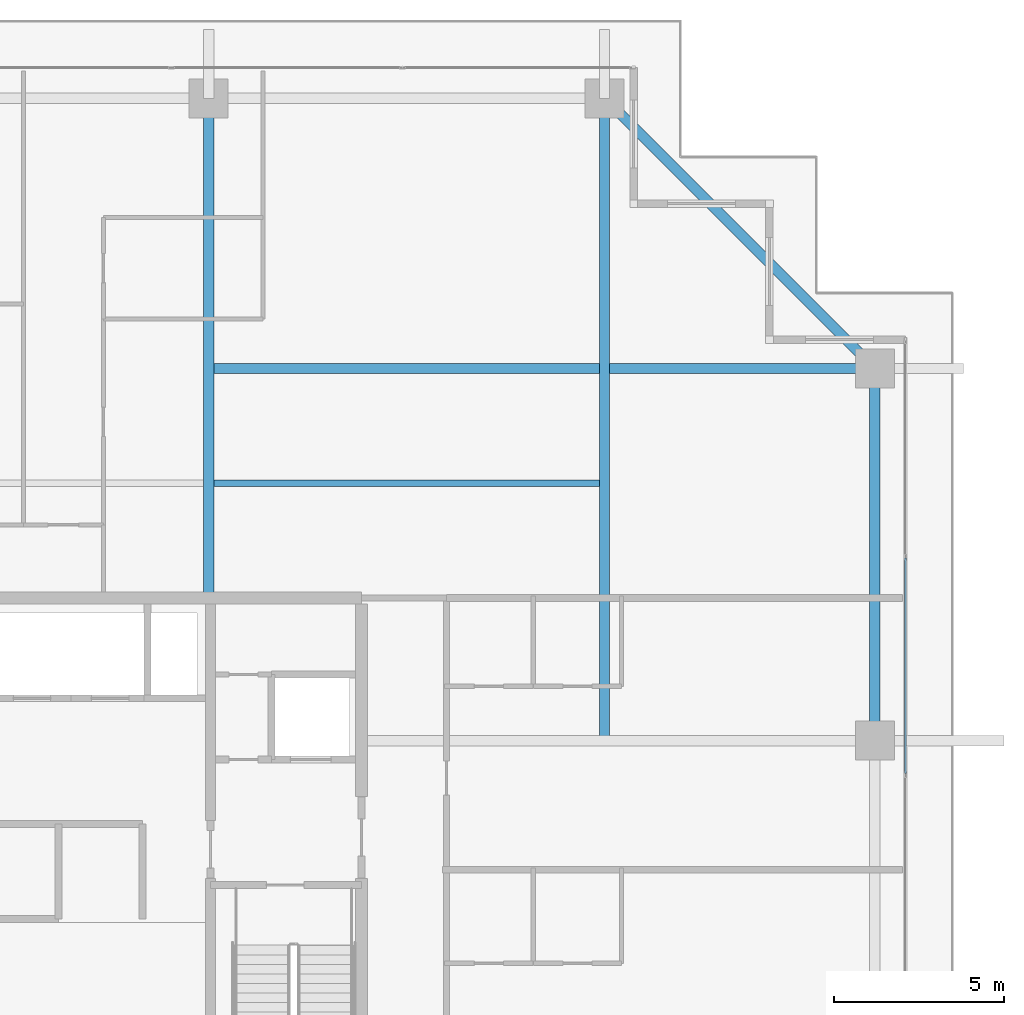
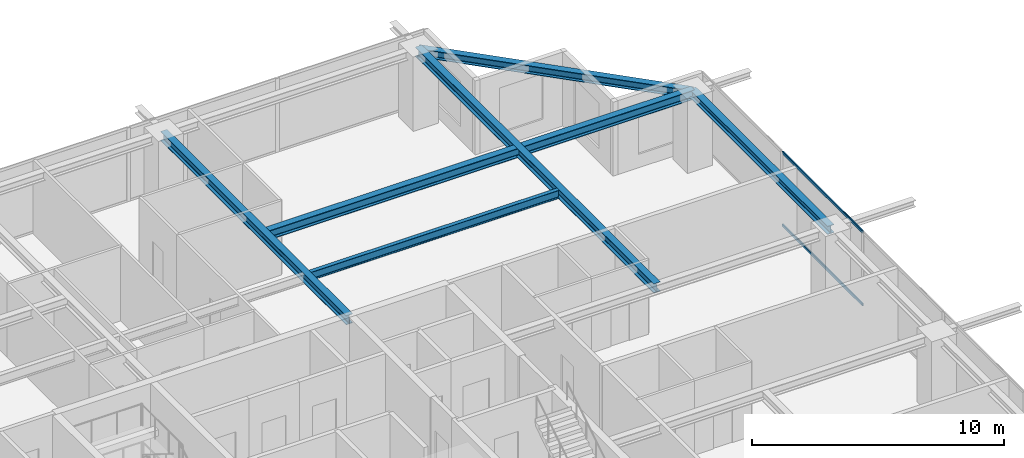
# One storey, part 21 of 36: 6 beams, 2 members, 1 element without a shape of its own.
"""IFC4 building model written with IfcOpenShell, lengths in metres."""

from ifc_helpers import new_model, si_unit, direction, frame, origin, origin_2d, place, context, subcontext, project, spatial, hollow_rectangle, i_section, extrude, source, transform, mapped, material, layer, layer_set, material_profile, profile_set, type_object, element, aggregate, save


model = new_model("IFC4")

# Units and contexts
model_context = context("Model", 3, precision=1e-05, world=origin(), true_north=direction((0.0, 1.0)))
body_context = subcontext(model_context, "Body", "Model", "MODEL_VIEW")
ifc_project = project(units=[si_unit("LENGTHUNIT", "METRE"), si_unit("AREAUNIT", "SQUARE_METRE"), si_unit("VOLUMEUNIT", "CUBIC_METRE"), si_unit("PLANEANGLEUNIT", "RADIAN"), si_unit("MASSUNIT", "GRAM", prefix="KILO")], contexts=[model_context])

# Site, building, storey
site_placement = place(None, origin())
site = spatial("IfcSite", under=ifc_project, at=site_placement, CompositionType="ELEMENT")
building_placement = place(site_placement, origin())
building = spatial("IfcBuilding", under=site, at=building_placement, Name="Serunith Strait Residences", CompositionType="ELEMENT")
storey_placement = place(building_placement, frame((0.0, 0.0, 272.050048828125)))
storey = spatial("IfcBuildingStorey", under=building, at=storey_placement, Name="L68", CompositionType="ELEMENT", Elevation=272.050048828125)

# Beams
ifc_material_1 = material(Name="Steel S355J2", Category="steel")
ifc_material_profile_1 = material_profile(ifc_material_1, i_section(OverallWidth=0.300048828125, OverallDepth=0.449951171875, WebThickness=0.013916015625, FlangeThickness=0.02587890625, FilletRadius=0.027099609375, at=origin_2d()), Name="HEB 450")
ifc_profile_set_1 = profile_set([ifc_material_profile_1], Name="Steel S355J2")
beam_type_1 = type_object("IfcBeamType", Name="BM-HEB450", PredefinedType="BEAM", material=ifc_profile_set_1)
shared_shape_1 = source(origin(), body_context, "Body", "SweptSolid", [
    extrude(i_section(OverallWidth=0.300048828125, OverallDepth=0.449951171875, WebThickness=0.013916015625, FlangeThickness=0.02587890625, FilletRadius=0.027099609375, at=origin_2d()), origin(), (0.0, 0.0, 1.0), 14.699951171875),
])
beam_1_placement = place(storey_placement, frame((36.89990234375, 33.60009765625, 3.362060546875), z_axis=(0.0, 1.0, 0.0), x_axis=(-1.0, 0.0, 0.0)))
element("IfcBeam", 1, at=beam_1_placement, inside=storey, type_object=beam_type_1, Name="L68 Primary Floor Girder TC-N3", PredefinedType="BEAM", context=body_context, shape_type="MappedRepresentation", body=[
    mapped(shared_shape_1, transform((0.0, 0.0, 0.0), scale=1.0)),
])
shared_shape_2 = source(origin(), body_context, "Body", "SweptSolid", [
    extrude(i_section(OverallWidth=0.300048828125, OverallDepth=0.449951171875, WebThickness=0.013916015625, FlangeThickness=0.02587890625, FilletRadius=0.027099609375, at=origin_2d()), origin(), (0.0, 0.0, 1.0), 18.900146484375),
])
beam_2_placement = place(storey_placement, frame((48.550048828125, 29.39990234375, 3.362060546875), z_axis=(0.0, 1.0, 0.0), x_axis=(-1.0, 0.0, 0.0)))
element("IfcBeam", 2, at=beam_2_placement, inside=storey, type_object=beam_type_1, Name="L68 Orthogonal Corner Girder TC-N4", PredefinedType="BEAM", context=body_context, shape_type="MappedRepresentation", body=[
    mapped(shared_shape_2, transform((0.0, 0.0, 0.0), scale=1.0)),
])
shared_shape_3 = source(origin(), body_context, "Body", "SweptSolid", [
    extrude(i_section(OverallWidth=0.300048828125, OverallDepth=0.449951171875, WebThickness=0.013916015625, FlangeThickness=0.02587890625, FilletRadius=0.027099609375, at=origin_2d()), origin(), (0.0, 0.0, 1.0), 19.60009765625),
])
beam_3_placement = place(storey_placement, frame((36.89990234375, 40.35009765625, 3.362060546875), z_axis=(1.0, 0.0, 0.0), x_axis=(0.0, 1.0, 0.0)))
element("IfcBeam", 3, at=beam_3_placement, inside=storey, type_object=beam_type_1, Name="L68 Orthogonal Corner Girder TC-E4", PredefinedType="BEAM", context=body_context, shape_type="MappedRepresentation", body=[
    mapped(shared_shape_3, transform((0.0, 0.0, 0.0), scale=1.0)),
])
ifc_material_profile_2 = material_profile(ifc_material_1, i_section(OverallWidth=0.300048828125, OverallDepth=0.39990234375, WebThickness=0.013427734375, FlangeThickness=0.02392578125, FilletRadius=0.027099609375, at=origin_2d()), Name="HEB 400")
ifc_profile_set_2 = profile_set([ifc_material_profile_2], Name="Steel S355J2")
beam_type_2 = type_object("IfcBeamType", Name="BM-HEB400", PredefinedType="BEAM", material=ifc_profile_set_2)
shared_shape_4 = source(origin(), body_context, "Body", "SweptSolid", [
    extrude(i_section(OverallWidth=0.300048828125, OverallDepth=0.39990234375, WebThickness=0.013427734375, FlangeThickness=0.02392578125, FilletRadius=0.027099609375, at=origin_2d()), origin(), (0.0, 0.0, 1.0), 11.242919921875),
])
beam_4_placement = place(storey_placement, frame((56.5, 40.35009765625, 3.35693359375), z_axis=(-0.707106781187, 0.707106781187, 0.0), x_axis=(-0.707106781187, -0.707106781187, 0.0)))
element("IfcBeam", 4, at=beam_4_placement, inside=storey, type_object=beam_type_2, Name="L68 Perimeter Ring Beam 08", PredefinedType="BEAM", context=body_context, shape_type="MappedRepresentation", body=[
    mapped(shared_shape_4, transform((0.0, 0.0, 0.0), scale=1.0)),
])
shared_shape_5 = source(origin(), body_context, "Body", "SweptSolid", [
    extrude(i_section(OverallWidth=0.300048828125, OverallDepth=0.39990234375, WebThickness=0.013427734375, FlangeThickness=0.02392578125, FilletRadius=0.027099609375, at=origin_2d()), origin(), (0.0, 0.0, 1.0), 10.9501953125),
])
beam_5_placement = place(storey_placement, frame((56.5, 29.39990234375, 3.386962890625), z_axis=(0.0, 1.0, 0.0), x_axis=(-1.0, 0.0, 0.0)))
element("IfcBeam", 5, at=beam_5_placement, inside=storey, type_object=beam_type_2, Name="L68 Perimeter Ring Beam 07", PredefinedType="BEAM", context=body_context, shape_type="MappedRepresentation", body=[
    mapped(shared_shape_5, transform((0.0, 0.0, 0.0), scale=1.0)),
])
ifc_material_profile_3 = material_profile(ifc_material_1, i_section(OverallWidth=0.179931640625, OverallDepth=0.39990234375, WebThickness=0.008544921875, FlangeThickness=0.013427734375, FilletRadius=0.02099609375, at=origin_2d()), Name="IPE 400")
ifc_profile_set_3 = profile_set([ifc_material_profile_3], Name="Steel S355J2")
beam_type_3 = type_object("IfcBeamType", Name="BM-IPE400", PredefinedType="JOIST", material=ifc_profile_set_3)
shared_shape_6 = source(origin(), body_context, "Body", "SweptSolid", [
    extrude(i_section(OverallWidth=0.179931640625, OverallDepth=0.39990234375, WebThickness=0.008544921875, FlangeThickness=0.013427734375, FilletRadius=0.02099609375, at=origin_2d()), origin(), (0.0, 0.0, 1.0), 11.349853515625),
])
beam_6_placement = place(storey_placement, frame((37.050048828125, 36.97509765625, 3.386962890625), z_axis=(1.0, 0.0, 0.0), x_axis=(0.0, 1.0, 0.0)))
element("IfcBeam", 6, at=beam_6_placement, inside=storey, type_object=beam_type_3, Name="L68 Composite Floor Joist 06", PredefinedType="JOIST", context=body_context, shape_type="MappedRepresentation", body=[
    mapped(shared_shape_6, transform((0.0, 0.0, 0.0), scale=1.0)),
])

# Curtain wall, members
ifc_material_2 = material(Name="Pale-Champagne Anodised Aluminium", Category="aluminium")
ifc_layer = layer(ifc_material_2, 0.199951171875, Name="Pale-Champagne Anodised Aluminium")
ifc_layer_set = layer_set([ifc_layer], Name="Pale-Champagne Anodised Aluminium")
curtain_wall_type = type_object("IfcCurtainWallType", Name="CW-SYS4", PredefinedType="NOTDEFINED", material=ifc_layer_set)
curtain_wall_placement = place(storey_placement, origin())
curtain_wall = element("IfcCurtainWall", 7, at=curtain_wall_placement, inside=storey, type_object=curtain_wall_type, Name="L68 E Unitised Fritted Curtain Wall", PredefinedType="NOTDEFINED")
ifc_material_profile_4 = material_profile(ifc_material_2, hollow_rectangle(XDim=0.06005859375, YDim=0.139892578125, WallThickness=0.00341796875, InnerFilletRadius=0.00537109375, OuterFilletRadius=0.0087890625, at=origin_2d()), Name="ALU 140x60x3.5")
ifc_profile_set_4 = profile_set([ifc_material_profile_4], Name="Pale-Champagne Anodised Aluminium")
member_type = type_object("IfcMemberType", Name="CW-SYS4-TRAN", PredefinedType="USERDEFINED", material=ifc_profile_set_4)
shared_shape_7 = source(origin(), body_context, "Body", "SweptSolid", [
    extrude(hollow_rectangle(XDim=0.06005859375, YDim=0.139892578125, WallThickness=0.00341796875, InnerFilletRadius=0.00537109375, OuterFilletRadius=0.0087890625, at=origin_2d()), origin(), (0.0, 0.0, 1.0), 6.3349609375),
])
member_1_placement = place(storey_placement, frame((57.39990234375, 28.4326171875, 0.030029296875), z_axis=(0.0, 1.0, 0.0), x_axis=(-1.0, 0.0, 0.0)))
member_1 = element("IfcMember", 8, at=member_1_placement, type_object=member_type, Name="CW-4 transom 4.1", ObjectType="TRANSOM", PredefinedType="USERDEFINED", context=body_context, shape_type="MappedRepresentation", body=[
    mapped(shared_shape_7, transform((0.0, 0.0, 0.0), scale=1.0)),
])
member_2_placement = place(storey_placement, frame((57.39990234375, 28.4326171875, 3.544921875), z_axis=(0.0, 1.0, 0.0), x_axis=(-1.0, 0.0, 0.0)))
member_2 = element("IfcMember", 9, at=member_2_placement, type_object=member_type, Name="CW-4 transom 4.2", ObjectType="TRANSOM", PredefinedType="USERDEFINED", context=body_context, shape_type="MappedRepresentation", body=[
    mapped(shared_shape_7, transform((0.0, 0.0, 0.0), scale=1.0)),
])
aggregate(curtain_wall, [member_1, member_2])

save(model, "model.ifc")
